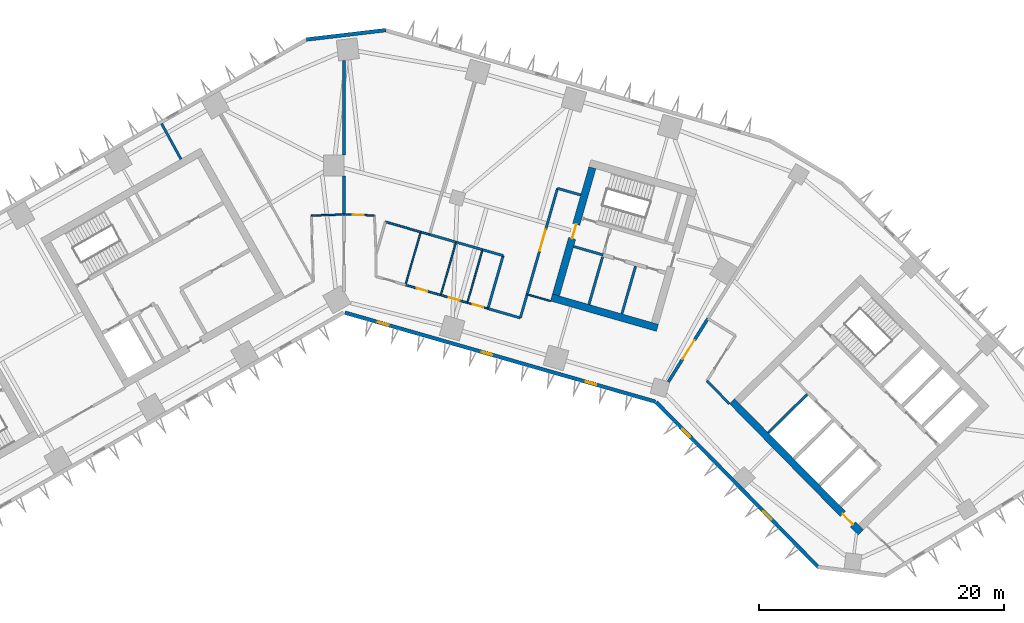
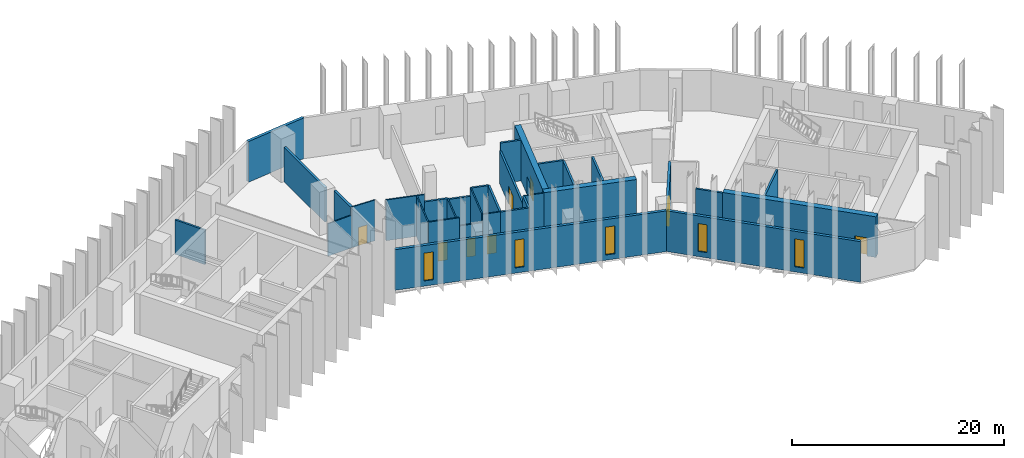
# One storey, part 5 of 11: 34 walls, 8 doors, 5 windows, 13 openings.
"""IFC4 building model written with IfcOpenShell, lengths in metres."""

import ifcopenshell
import ifcopenshell.guid

model = None  # the IFC model being written
_history = None  # IfcOwnerHistory: only IFC2X3 demands one
_inside = {}  # id of a spatial element -> (the spatial element, [elements in it])
_under = {}  # id of a project, library or spatial element -> (it, [spatial elements below it])
_declared = {}  # id of a project -> (the project, [libraries it declares])
_typed = {}  # id of a type object -> (the type object, [elements of that type])
_made_of = {}  # id of a material, layer set ... -> (it, [elements and type objects made of it])


def new_model(schema):
    """Start an empty IFC model of exactly this schema.

    Asked for "IFC4X3", IfcOpenShell would pick the latest addendum, in which some entities
    have other attributes; the version numbers below select the first issue.
    IFC2X3 requires an IfcOwnerHistory on every rooted entity: one is made here for all.
    """
    global model, _history
    if schema == "IFC4X3":
        model = ifcopenshell.file(schema_version=(4, 3, 0, 0))
    else:
        model = ifcopenshell.file(schema=schema)
    _inside.clear()
    _under.clear()
    _declared.clear()
    _typed.clear()
    _made_of.clear()
    _history = None
    if model.schema == "IFC2X3":
        org = make("IfcOrganization", Name="unknown")
        user = make(
            "IfcPersonAndOrganization",
            ThePerson=make("IfcPerson", FamilyName="unknown"),
            TheOrganization=org,
        )
        app = make(
            "IfcApplication",
            ApplicationDeveloper=org,
            Version="unknown",
            ApplicationFullName="unknown",
            ApplicationIdentifier="unknown",
        )
        _history = make(
            "IfcOwnerHistory",
            OwningUser=user,
            OwningApplication=app,
            ChangeAction="ADDED",
            CreationDate=0,
        )
    return model


def make(cls, **values):
    """One entity of the class cls with the attributes given. An attribute that is None is left unset."""
    return model.create_entity(
        cls, **{name: value for name, value in values.items() if value is not None}
    )


def rooted(cls, **values):
    """An entity with a GlobalId (a new one), such as an element, a storey or a relation."""
    return make(cls, GlobalId=ifcopenshell.guid.new(), OwnerHistory=_history, **values)


def si_unit(unit_type, name, prefix=None):
    """IfcSIUnit, for example si_unit("LENGTHUNIT", "METRE", prefix="MILLI")."""
    return make("IfcSIUnit", UnitType=unit_type, Prefix=prefix, Name=name)


def assignment(units):
    """IfcUnitAssignment: the units of a project."""
    return None if units is None else make("IfcUnitAssignment", Units=units)


def point(xyz):
    """IfcCartesianPoint."""
    return None if xyz is None else make("IfcCartesianPoint", Coordinates=xyz)


def direction(xyz):
    """IfcDirection."""
    return None if xyz is None else make("IfcDirection", DirectionRatios=xyz)


def frame(location, z_axis=None, x_axis=None):
    """IfcAxis2Placement3D, a coordinate frame: its origin and axes. An axis left out is left unset."""
    return make(
        "IfcAxis2Placement3D",
        Location=point(location),
        Axis=direction(z_axis),
        RefDirection=direction(x_axis),
    )


def frame_2d(location, x_axis=None):
    """IfcAxis2Placement2D, a coordinate frame in the plane: its origin and x axis."""
    return make(
        "IfcAxis2Placement2D", Location=point(location), RefDirection=direction(x_axis)
    )


def origin():
    """The frame at (0, 0, 0) with its axes left unset."""
    return frame((0.0, 0.0, 0.0))


def place(relative_to, where):
    """IfcLocalPlacement: puts the frame where relative to a parent placement (None: the world)."""
    return make(
        "IfcLocalPlacement", PlacementRelTo=relative_to, RelativePlacement=where
    )


def context(
    kind, dimensions, precision=None, world=None, true_north=None, identifier=None
):
    """IfcGeometricRepresentationContext, for example the 3D "Model" context."""
    return make(
        "IfcGeometricRepresentationContext",
        ContextIdentifier=identifier,
        ContextType=kind,
        CoordinateSpaceDimension=dimensions,
        Precision=precision,
        WorldCoordinateSystem=world,
        TrueNorth=true_north,
    )


def subcontext(parent, identifier, kind, view, scale=None):
    """IfcGeometricRepresentationSubContext, for example "Body" below "Model"."""
    return make(
        "IfcGeometricRepresentationSubContext",
        ContextIdentifier=identifier,
        ContextType=kind,
        ParentContext=parent,
        TargetScale=scale,
        TargetView=view,
    )


def project(units=None, contexts=None):
    """IfcProject with its units and contexts."""
    return rooted(
        "IfcProject",
        Name="project",
        RepresentationContexts=contexts,
        UnitsInContext=assignment(units),
    )


def spatial(cls, under=None, at=None, **own):
    """A site, building, storey or space (cls), placed at a placement, below another one or the project."""
    s = rooted(cls, ObjectPlacement=at, **own)
    if under is not None:
        _under.setdefault(under.id(), (under, []))[1].append(s)
    return s


def profile(cls, at=None, kind="AREA", **sizes):
    """A parametric profile (cls). Its sizes go by their IFC names, for example OverallWidth=200.0."""
    return make(cls, ProfileType=kind, Position=at, **sizes)


def rectangle(**sizes):
    """IfcRectangleProfileDef."""
    return profile("IfcRectangleProfileDef", **sizes)


def extrude(swept, where, along, depth):
    """IfcExtrudedAreaSolid: the profile swept, set in the frame where, extruded along a direction by depth."""
    return make(
        "IfcExtrudedAreaSolid",
        SweptArea=swept,
        Position=where,
        ExtrudedDirection=direction(along),
        Depth=depth,
    )


def shape(context_of_items, identifier, shape_type, items):
    """IfcShapeRepresentation: the items that make up one representation, for example the "Body"."""
    return make(
        "IfcShapeRepresentation",
        ContextOfItems=context_of_items,
        RepresentationIdentifier=identifier,
        RepresentationType=shape_type,
        Items=items,
    )


def material(Name=None, Category=None):
    """IfcMaterial."""
    return make("IfcMaterial", Name=Name, Category=Category)


def layer(
    of_material, thickness, ventilated=None, Name=None, Category=None, Priority=None
):
    """IfcMaterialLayer: one layer of a wall or slab, of a material (None: an air gap)."""
    return make(
        "IfcMaterialLayer",
        Material=of_material,
        LayerThickness=thickness,
        IsVentilated=ventilated,
        Name=Name,
        Category=Category,
        Priority=Priority,
    )


def layer_set(layers, Name=None):
    """IfcMaterialLayerSet."""
    return make("IfcMaterialLayerSet", MaterialLayers=layers, LayerSetName=Name)


def made_of(thing, what):
    """Note that an element or type object is made of a material, layer set ...; save() writes the relation."""
    if what is not None:
        _made_of.setdefault(what.id(), (what, []))[1].append(thing)
    return thing


def type_object(cls, material=None, **own):
    """A type object (cls), such as IfcWallType, which elements share."""
    return made_of(rooted(cls, **own), material)


def element(
    cls,
    number,
    at=None,
    inside=None,
    cuts=None,
    type_object=None,
    material=None,
    context=None,
    identifier="Body",
    shape_type=None,
    held_by="IfcProductDefinitionShape",
    body=None,
    shapes=None,
    **own,
):
    """One element of the class cls, such as IfcWall. Its Tag is "e" and its number.

    at: its placement. inside: the storey or other place that contains it. cuts: it is an
    opening in that element (IfcRelVoidsElement). A single representation is given by context,
    identifier, shape_type and body (its items); several are given by shapes. held_by: the class
    of the entity that holds the representations. save() writes the other relations.
    """
    e = rooted(cls, Tag="e%d" % number, ObjectPlacement=at, **own)
    if body is not None:
        shapes = [shape(context, identifier, shape_type, body)]
    if shapes is not None:
        e.Representation = make(held_by, Representations=shapes)
    if inside is not None:
        _inside.setdefault(inside.id(), (inside, []))[1].append(e)
    if cuts is not None:
        rooted(
            "IfcRelVoidsElement", RelatingBuildingElement=cuts, RelatedOpeningElement=e
        )
    if type_object is not None:
        _typed.setdefault(type_object.id(), (type_object, []))[1].append(e)
    return made_of(e, material)


def fill(opening, filler):
    """IfcRelFillsElement: the door or window that sits in an opening."""
    return rooted(
        "IfcRelFillsElement",
        RelatingOpeningElement=opening,
        RelatedBuildingElement=filler,
    )


def aggregate(whole, parts):
    """IfcRelAggregates: a whole, such as a stair, and the parts it consists of."""
    return rooted("IfcRelAggregates", RelatingObject=whole, RelatedObjects=parts)


def save(model, path):
    """Write the relations noted so far, then the file.

    IfcRelAggregates (storeys below a building ...), IfcRelContainedInSpatialStructure (elements
    in a storey), IfcRelDefinesByType, IfcRelAssociatesMaterial and IfcRelDeclares: one each for
    every whole, place, type object, material and project.
    """
    for whole, parts in _under.values():
        aggregate(whole, parts)
    for where, things in _inside.values():
        rooted(
            "IfcRelContainedInSpatialStructure",
            RelatedElements=things,
            RelatingStructure=where,
        )
    for kind, things in _typed.values():
        rooted("IfcRelDefinesByType", RelatedObjects=things, RelatingType=kind)
    for what, things in _made_of.values():
        rooted("IfcRelAssociatesMaterial", RelatedObjects=things, RelatingMaterial=what)
    for by, libraries in _declared.values():
        rooted("IfcRelDeclares", RelatingContext=by, RelatedDefinitions=libraries)
    model.write(path)


model = new_model("IFC4")

# Units and contexts
model_context = context("Model", 3, precision=1e-05, world=origin(), true_north=direction((0.0, 1.0)))
body_context = subcontext(model_context, "Body", "Model", "MODEL_VIEW")
ifc_project = project(units=[si_unit("LENGTHUNIT", "METRE"), si_unit("AREAUNIT", "SQUARE_METRE"), si_unit("VOLUMEUNIT", "CUBIC_METRE"), si_unit("PLANEANGLEUNIT", "RADIAN"), si_unit("MASSUNIT", "GRAM", prefix="KILO")], contexts=[model_context])

# Site, building, storey
site_placement = place(None, origin())
site = spatial("IfcSite", under=ifc_project, at=site_placement, CompositionType="ELEMENT")
building_placement = place(site_placement, origin())
building = spatial("IfcBuilding", under=site, at=building_placement, Name="Binnacle Exchange Tower", CompositionType="ELEMENT")
storey_placement = place(building_placement, frame((0.0, 0.0, 46.5)))
storey = spatial("IfcBuildingStorey", under=building, at=storey_placement, Name="L09", CompositionType="ELEMENT", Elevation=46.5)

# Wall
ifc_material_1 = material(Name="Gypsum partition fire rated")
ifc_layer_1 = layer(ifc_material_1, 0.199951171875)
ifc_layer_set_1 = layer_set([ifc_layer_1], Name="Core partition 200")
wall_type_1 = type_object("IfcWallType", Name="Core partition 200", PredefinedType="PARTITIONING", material=ifc_layer_set_1)
wall_1_placement = place(storey_placement, frame((22.664794921875, 47.88330078125, 0.0), z_axis=(0.0, 0.0, 1.0), x_axis=(0.275596769212, 0.961273333033, 0.0)))
element("IfcWall", 1, at=wall_1_placement, inside=storey, type_object=wall_type_1, Name="Core wall CRWD10", PredefinedType="PARTITIONING", context=body_context, shape_type="SweptSolid", body=[
    extrude(rectangle(XDim=4.050048828125, YDim=0.199951171875, at=frame_2d((2.02490234375, 0.0))), origin(), (0.0, 0.0, 1.0), 4.679931640625),
])

# Wall, opening, door
ifc_material_2 = material(Name="Concrete C70/85", Category="concrete")
ifc_layer_2 = layer(ifc_material_2, 0.60009765625)
ifc_layer_set_2 = layer_set([ifc_layer_2], Name="Core wall - outer 600")
wall_type_2 = type_object("IfcWallType", Name="Core wall - outer 600", PredefinedType="SOLIDWALL", material=ifc_layer_set_2)
wall_2_placement = place(storey_placement, frame((31.6455078125, 40.7626953125, 0.0), z_axis=(0.0, 0.0, 1.0), x_axis=(0.700911255944, -0.713248491965, 0.0)))
wall_2 = element("IfcWall", 2, at=wall_2_placement, inside=storey, type_object=wall_type_2, Name="Core wall CRWB1", PredefinedType="SOLIDWALL", context=body_context, shape_type="SweptSolid", body=[
    extrude(rectangle(XDim=15.0, YDim=0.60009765625, at=frame_2d((7.5, 0.0))), origin(), (0.0, 0.0, 1.0), 4.679931640625),
])
opening_1_placement = place(wall_2_placement, frame((12.89990234375, 0.0, 0.0)))
opening_1 = element("IfcOpeningElement", 3, at=opening_1_placement, cuts=wall_2, Name="Opening DB7", PredefinedType="OPENING", context=body_context, shape_type="SweptSolid", body=[
    extrude(rectangle(XDim=1.199951171875, YDim=2.10009765625, at=frame_2d((0.60009765625, 1.050048828125))), frame((0.0, 0.31005859375, 0.0), z_axis=(0.0, -1.0, 0.0), x_axis=(1.0, 0.0, 0.0)), (0.0, 0.0, 1.0), 0.6201171875),
])
ifc_material_3 = material(Name="Steel door leaf", Category="steel")
door_type_1 = type_object("IfcDoorType", Name="Fire door 1200", OperationType="NOTDEFINED", PredefinedType="DOOR", material=ifc_material_3)
door_1_placement = place(opening_1_placement, frame((1.199951171875, 0.0, 0.0), z_axis=(0.0, 0.0, 1.0), x_axis=(-1.0, 0.0, 0.0)))
door_1 = element("IfcDoor", 4, at=door_1_placement, inside=storey, type_object=door_type_1, Name="Lift lobby entrance door core B", OperationType="SINGLE_SWING_LEFT", OverallHeight=2.10009765625, OverallWidth=1.199951171875, PredefinedType="DOOR", context=body_context, shape_type="SweptSolid", body=[
    extrude(rectangle(XDim=1.199951171875, YDim=2.10009765625, at=frame_2d((0.60009765625, 1.050048828125))), frame((0.0, 0.02490234375, 0.0), z_axis=(0.0, -1.0, 0.0), x_axis=(1.0, 0.0, 0.0)), (0.0, 0.0, 1.0), 0.050048828125),
])
fill(opening_1, door_1)

# Wall
wall_3_placement = place(storey_placement, frame((16.91064453125, 49.22119140625, 0.0), z_axis=(0.0, 0.0, 1.0), x_axis=(0.96126248289, -0.275634611374, 0.0)))
element("IfcWall", 5, at=wall_3_placement, inside=storey, type_object=wall_type_2, Name="Core wall CRWD1", PredefinedType="SOLIDWALL", context=body_context, shape_type="SweptSolid", body=[
    extrude(rectangle(XDim=9.0, YDim=0.60009765625, at=frame_2d((4.5, 0.0))), origin(), (0.0, 0.0, 1.0), 4.679931640625),
])

# Wall, opening, door
wall_4_placement = place(storey_placement, frame((17.28173828125, 49.427001953125, 0.0), z_axis=(0.0, 0.0, 1.0), x_axis=(0.275631631629, 0.961263337304, 0.0)))
wall_4 = element("IfcWall", 6, at=wall_4_placement, inside=storey, type_object=wall_type_2, Name="Core wall CRWD7", PredefinedType="SOLIDWALL", context=body_context, shape_type="SweptSolid", body=[
    extrude(rectangle(XDim=10.800048828125, YDim=0.60009765625, at=frame_2d((5.39990234375, 0.0))), origin(), (0.0, 0.0, 1.0), 4.679931640625),
])
opening_2_placement = place(wall_4_placement, frame((4.800048828125, 0.0, 0.0)))
opening_2 = element("IfcOpeningElement", 7, at=opening_2_placement, cuts=wall_4, Name="Opening DD5", PredefinedType="OPENING", context=body_context, shape_type="SweptSolid", body=[
    extrude(rectangle(XDim=1.199951171875, YDim=2.10009765625, at=frame_2d((0.60009765625, 1.050048828125))), frame((0.0, 0.31005859375, 0.0), z_axis=(0.0, -1.0, 0.0), x_axis=(1.0, 0.0, 0.0)), (0.0, 0.0, 1.0), 0.6201171875),
])
door_2_placement = place(opening_2_placement, origin())
door_2 = element("IfcDoor", 8, at=door_2_placement, inside=storey, type_object=door_type_1, Name="Vestibule exit door VEST-W", OperationType="SINGLE_SWING_RIGHT", OverallHeight=2.10009765625, OverallWidth=1.199951171875, PredefinedType="DOOR", context=body_context, shape_type="SweptSolid", body=[
    extrude(rectangle(XDim=1.199951171875, YDim=2.10009765625, at=frame_2d((0.60009765625, 1.050048828125))), frame((0.0, 0.02490234375, 0.0), z_axis=(0.0, -1.0, 0.0), x_axis=(1.0, 0.0, 0.0)), (0.0, 0.0, 1.0), 0.050048828125),
])
fill(opening_2, door_2)

# Wall
ifc_material_4 = material(Name="Bronze aluminium cladding", Category="aluminium")
ifc_layer_3 = layer(ifc_material_4, 0.300048828125)
ifc_layer_set_3 = layer_set([ifc_layer_3], Name="External wall - spandrel 300")
wall_type_3 = type_object("IfcWallType", Name="External wall - spandrel 300", PredefinedType="STANDARD", material=ifc_layer_set_3)
wall_5_placement = place(storey_placement, frame((-3.076171875, 70.27294921875, 0.0), z_axis=(0.0, 0.0, 1.0), x_axis=(0.993067743007, 0.117543429416, 0.0)))
element("IfcWall", 9, at=wall_5_placement, inside=storey, type_object=wall_type_3, Name="External wall EW-F02 L09", PredefinedType="STANDARD", context=body_context, shape_type="SweptSolid", body=[
    extrude(rectangle(XDim=6.515625, YDim=0.300048828125, at=frame_2d((3.2578125, 0.0))), origin(), (0.0, 0.0, 1.0), 4.679931640625),
])

# Wall, openings, windows
wall_6_placement = place(storey_placement, frame((25.398193359375, 40.71728515625, 0.0), z_axis=(0.0, 0.0, 1.0), x_axis=(-0.961262423262, 0.275634819324, 0.0)))
wall_6 = element("IfcWall", 10, at=wall_6_placement, inside=storey, type_object=wall_type_3, Name="External wall EW-F08 L09", PredefinedType="STANDARD", context=body_context, shape_type="SweptSolid", body=[
    extrude(rectangle(XDim=26.358642578125, YDim=0.300048828125, at=frame_2d((13.17919921875, 0.0))), origin(), (0.0, 0.0, 1.0), 4.679931640625),
])
opening_3_placement = place(wall_6_placement, frame((22.6640625, 0.0, 0.60009765625)))
opening_3 = element("IfcOpeningElement", 11, at=opening_3_placement, cuts=wall_6, Name="Opening WS1", PredefinedType="OPENING", context=body_context, shape_type="SweptSolid", body=[
    extrude(rectangle(XDim=0.89990234375, YDim=3.199951171875, at=frame_2d((0.449951171875, 1.60009765625))), frame((0.0, 0.159912109375, 0.0), z_axis=(0.0, -1.0, 0.0), x_axis=(1.0, 0.0, 0.0)), (0.0, 0.0, 1.0), 0.320068359375),
])
opening_4_placement = place(wall_6_placement, frame((13.843505859375, 0.0, 0.60009765625)))
opening_4 = element("IfcOpeningElement", 12, at=opening_4_placement, cuts=wall_6, Name="Opening WS1", PredefinedType="OPENING", context=body_context, shape_type="SweptSolid", body=[
    extrude(rectangle(XDim=0.89990234375, YDim=3.199951171875, at=frame_2d((0.449951171875, 1.60009765625))), frame((0.0, 0.159912109375, 0.0), z_axis=(0.0, -1.0, 0.0), x_axis=(1.0, 0.0, 0.0)), (0.0, 0.0, 1.0), 0.320068359375),
])
opening_5_placement = place(wall_6_placement, frame((5.023193359375, 0.0, 0.60009765625)))
opening_5 = element("IfcOpeningElement", 13, at=opening_5_placement, cuts=wall_6, Name="Opening WS1", PredefinedType="OPENING", context=body_context, shape_type="SweptSolid", body=[
    extrude(rectangle(XDim=0.89990234375, YDim=3.199951171875, at=frame_2d((0.449951171875, 1.60009765625))), frame((0.0, 0.159912109375, 0.0), z_axis=(0.0, -1.0, 0.0), x_axis=(1.0, 0.0, 0.0)), (0.0, 0.0, 1.0), 0.320068359375),
])
ifc_material_5 = material(Name="Bronze anodised aluminium frame", Category="aluminium")
window_type = type_object("IfcWindowType", Name="WS1 WINDOW 900x3200", PartitioningType="SINGLE_PANEL", PredefinedType="WINDOW", material=ifc_material_5)
window_1_placement = place(opening_3_placement, origin())
window_1 = element("IfcWindow", 14, at=window_1_placement, inside=storey, type_object=window_type, Name="Window WS1 L09", OverallHeight=3.199951171875, OverallWidth=0.89990234375, PartitioningType="SINGLE_PANEL", PredefinedType="WINDOW", context=body_context, shape_type="SweptSolid", body=[
    extrude(rectangle(XDim=0.89990234375, YDim=3.199951171875, at=frame_2d((0.449951171875, 1.60009765625))), frame((0.0, 0.030029296875, 0.0), z_axis=(0.0, -1.0, 0.0), x_axis=(1.0, 0.0, 0.0)), (0.0, 0.0, 1.0), 0.06005859375),
])
fill(opening_3, window_1)
window_2_placement = place(opening_4_placement, origin())
window_2 = element("IfcWindow", 15, at=window_2_placement, inside=storey, type_object=window_type, Name="Window WS1 L09", OverallHeight=3.199951171875, OverallWidth=0.89990234375, PartitioningType="SINGLE_PANEL", PredefinedType="WINDOW", context=body_context, shape_type="SweptSolid", body=[
    extrude(rectangle(XDim=0.89990234375, YDim=3.199951171875, at=frame_2d((0.449951171875, 1.60009765625))), frame((0.0, 0.030029296875, 0.0), z_axis=(0.0, -1.0, 0.0), x_axis=(1.0, 0.0, 0.0)), (0.0, 0.0, 1.0), 0.06005859375),
])
fill(opening_4, window_2)
window_3_placement = place(opening_5_placement, origin())
window_3 = element("IfcWindow", 16, at=window_3_placement, inside=storey, type_object=window_type, Name="Window WS1 L09", OverallHeight=3.199951171875, OverallWidth=0.89990234375, PartitioningType="SINGLE_PANEL", PredefinedType="WINDOW", context=body_context, shape_type="SweptSolid", body=[
    extrude(rectangle(XDim=0.89990234375, YDim=3.199951171875, at=frame_2d((0.449951171875, 1.60009765625))), frame((0.0, 0.030029296875, 0.0), z_axis=(0.0, -1.0, 0.0), x_axis=(1.0, 0.0, 0.0)), (0.0, 0.0, 1.0), 0.06005859375),
])
fill(opening_5, window_3)

wall_7_placement = place(storey_placement, frame((38.727294921875, 27.18115234375, 0.0), z_axis=(0.0, 0.0, 1.0), x_axis=(-0.700906405975, 0.713253258011, 0.0)))
wall_7 = element("IfcWall", 17, at=wall_7_placement, inside=storey, type_object=wall_type_3, Name="External wall EW-F09 L09", PredefinedType="STANDARD", context=body_context, shape_type="SweptSolid", body=[
    extrude(rectangle(XDim=18.92333984375, YDim=0.300048828125, at=frame_2d((9.461669921875, 0.0))), origin(), (0.0, 0.0, 1.0), 4.679931640625),
])
opening_6_placement = place(wall_7_placement, frame((14.967041015625, 0.0, 0.60009765625)))
opening_6 = element("IfcOpeningElement", 18, at=opening_6_placement, cuts=wall_7, Name="Opening WS1", PredefinedType="OPENING", context=body_context, shape_type="SweptSolid", body=[
    extrude(rectangle(XDim=0.89990234375, YDim=3.199951171875, at=frame_2d((0.449951171875, 1.60009765625))), frame((0.0, 0.159912109375, 0.0), z_axis=(0.0, -1.0, 0.0), x_axis=(1.0, 0.0, 0.0)), (0.0, 0.0, 1.0), 0.320068359375),
])
opening_7_placement = place(wall_7_placement, frame((5.51171875, 0.0, 0.60009765625)))
opening_7 = element("IfcOpeningElement", 19, at=opening_7_placement, cuts=wall_7, Name="Opening WS1", PredefinedType="OPENING", context=body_context, shape_type="SweptSolid", body=[
    extrude(rectangle(XDim=0.89990234375, YDim=3.199951171875, at=frame_2d((0.449951171875, 1.60009765625))), frame((0.0, 0.159912109375, 0.0), z_axis=(0.0, -1.0, 0.0), x_axis=(1.0, 0.0, 0.0)), (0.0, 0.0, 1.0), 0.320068359375),
])
window_4_placement = place(opening_6_placement, origin())
window_4 = element("IfcWindow", 20, at=window_4_placement, inside=storey, type_object=window_type, Name="Window WS1 L09", OverallHeight=3.199951171875, OverallWidth=0.89990234375, PartitioningType="SINGLE_PANEL", PredefinedType="WINDOW", context=body_context, shape_type="SweptSolid", body=[
    extrude(rectangle(XDim=0.89990234375, YDim=3.199951171875, at=frame_2d((0.449951171875, 1.60009765625))), frame((0.0, 0.030029296875, 0.0), z_axis=(0.0, -1.0, 0.0), x_axis=(1.0, 0.0, 0.0)), (0.0, 0.0, 1.0), 0.06005859375),
])
fill(opening_6, window_4)
window_5_placement = place(opening_7_placement, origin())
window_5 = element("IfcWindow", 21, at=window_5_placement, inside=storey, type_object=window_type, Name="Window WS1 L09", OverallHeight=3.199951171875, OverallWidth=0.89990234375, PartitioningType="SINGLE_PANEL", PredefinedType="WINDOW", context=body_context, shape_type="SweptSolid", body=[
    extrude(rectangle(XDim=0.89990234375, YDim=3.199951171875, at=frame_2d((0.449951171875, 1.60009765625))), frame((0.0, 0.030029296875, 0.0), z_axis=(0.0, -1.0, 0.0), x_axis=(1.0, 0.0, 0.0)), (0.0, 0.0, 1.0), 0.06005859375),
])
fill(opening_7, window_5)

# Walls
ifc_material_6 = material(Name="Masonry block wall", Category="masonry")
ifc_layer_4 = layer(ifc_material_6, 0.199951171875)
ifc_layer_set_4 = layer_set([ifc_layer_4], Name="Fire wall - block 200")
wall_type_4 = type_object("IfcWallType", Name="Fire wall - block 200", PredefinedType="PARTITIONING", material=ifc_layer_set_4)
wall_8_placement = place(storey_placement, frame((-14.89404296875, 63.40087890625, 0.0), z_axis=(0.0, 0.0, 1.0), x_axis=(0.478389929376, -0.878147524891, 0.0)))
element("IfcWall", 22, at=wall_8_placement, inside=storey, type_object=wall_type_4, Name="Partition W05", PredefinedType="PARTITIONING", context=body_context, shape_type="SweptSolid", body=[
    extrude(rectangle(XDim=3.294189453125, YDim=0.199951171875, at=frame_2d((1.64697265625, 0.0))), origin(), (0.0, 0.0, 1.0), 3.9599609375),
])
wall_9_placement = place(storey_placement, frame((6.966064453125, 54.362060546875, 0.0), z_axis=(0.0, 0.0, 1.0), x_axis=(0.961154610169, -0.276010534854, 0.0)))
element("IfcWall", 23, at=wall_9_placement, inside=storey, type_object=wall_type_4, Name="Partition W22", PredefinedType="PARTITIONING", context=body_context, shape_type="SweptSolid", body=[
    extrude(rectangle(XDim=2.250244140625, YDim=0.199951171875, at=frame_2d((1.125, 0.0))), origin(), (0.0, 0.0, 1.0), 3.85205078125),
])
wall_10_placement = place(storey_placement, frame((9.12890625, 53.740966796875, 0.0), z_axis=(0.0, 0.0, 1.0), x_axis=(0.961273691875, -0.275595517578, 0.0)))
element("IfcWall", 24, at=wall_10_placement, inside=storey, type_object=wall_type_4, Name="Partition W26", PredefinedType="PARTITIONING", context=body_context, shape_type="SweptSolid", body=[
    extrude(rectangle(XDim=2.249267578125, YDim=0.199951171875, at=frame_2d((1.12451171875, 0.0))), origin(), (0.0, 0.0, 1.0), 3.741943359375),
])
wall_11_placement = place(storey_placement, frame((11.291015625, 53.12109375, 0.0), z_axis=(0.0, 0.0, 1.0), x_axis=(0.961329010357, -0.275402494264, 0.0)))
element("IfcWall", 25, at=wall_11_placement, inside=storey, type_object=wall_type_4, Name="Partition W29", PredefinedType="PARTITIONING", context=body_context, shape_type="SweptSolid", body=[
    extrude(rectangle(XDim=1.750732421875, YDim=0.199951171875, at=frame_2d((0.87548828125, 0.0))), origin(), (0.0, 0.0, 1.0), 4.679931640625),
])
wall_12_placement = place(storey_placement, frame((11.73291015625, 48.31298828125, 0.0), z_axis=(0.0, 0.0, 1.0), x_axis=(0.275795676316, 0.961216284155, 0.0)))
element("IfcWall", 26, at=wall_12_placement, inside=storey, type_object=wall_type_4, Name="Partition W30", PredefinedType="PARTITIONING", context=body_context, shape_type="SweptSolid", body=[
    extrude(rectangle(XDim=4.50048828125, YDim=0.199951171875, at=frame_2d((2.250244140625, 0.0))), origin(), (0.0, 0.0, 1.0), 4.679931640625),
])
wall_13_placement = place(storey_placement, frame((11.73291015625, 48.31298828125, 0.0), z_axis=(0.0, 0.0, 1.0), x_axis=(0.961272337704, -0.275600240865, 0.0)))
element("IfcWall", 27, at=wall_13_placement, inside=storey, type_object=wall_type_4, Name="Partition W31", PredefinedType="PARTITIONING", context=body_context, shape_type="SweptSolid", body=[
    extrude(rectangle(XDim=2.75048828125, YDim=0.199951171875, at=frame_2d((1.375244140625, 0.0))), origin(), (0.0, 0.0, 1.0), 4.679931640625),
])
wall_14_placement = place(storey_placement, frame((14.376953125, 47.554931640625, 0.0), z_axis=(0.0, 0.0, 1.0), x_axis=(0.275446387355, 0.961316434736, 0.0)))
element("IfcWall", 28, at=wall_14_placement, inside=storey, type_object=wall_type_4, Name="Partition W32", PredefinedType="PARTITIONING", context=body_context, shape_type="SweptSolid", body=[
    extrude(rectangle(XDim=2.00048828125, YDim=0.199951171875, at=frame_2d((1.000244140625, 0.0))), origin(), (0.0, 0.0, 1.0), 4.679931640625),
])

# Wall, opening, door
wall_15_placement = place(storey_placement, frame((14.927978515625, 49.47802734375, 0.0), z_axis=(0.0, 0.0, 1.0), x_axis=(0.275674053528, 0.961251172281, 0.0)))
wall_15 = element("IfcWall", 29, at=wall_15_placement, inside=storey, type_object=wall_type_4, Name="Partition W34", PredefinedType="PARTITIONING", context=body_context, shape_type="SweptSolid", body=[
    extrude(rectangle(XDim=8.99951171875, YDim=0.199951171875, at=frame_2d((4.499755859375, 0.0))), origin(), (0.0, 0.0, 1.0), 3.741943359375),
])
opening_8_placement = place(wall_15_placement, frame((3.699951171875, 0.0, 0.0)))
opening_8 = element("IfcOpeningElement", 30, at=opening_8_placement, cuts=wall_15, Name="Opening DL08-10", PredefinedType="OPENING", context=body_context, shape_type="SweptSolid", body=[
    extrude(rectangle(XDim=1.800048828125, YDim=2.10009765625, at=frame_2d((0.89990234375, 1.050048828125))), frame((0.0, 0.10986328125, 0.0), z_axis=(0.0, -1.0, 0.0), x_axis=(1.0, 0.0, 0.0)), (0.0, 0.0, 1.0), 0.219970703125),
])
door_type_2 = type_object("IfcDoorType", Name="Fire door 1800", OperationType="NOTDEFINED", PredefinedType="DOOR", material=ifc_material_3)
door_3_placement = place(opening_8_placement, origin())
door_3 = element("IfcDoor", 31, at=door_3_placement, inside=storey, type_object=door_type_2, Name="Door DL08-10", OperationType="DOUBLE_DOOR_SINGLE_SWING", OverallHeight=2.10009765625, OverallWidth=1.800048828125, PredefinedType="DOOR", context=body_context, shape_type="SweptSolid", body=[
    extrude(rectangle(XDim=1.800048828125, YDim=2.10009765625, at=frame_2d((0.89990234375, 1.050048828125))), frame((0.0, 0.02490234375, 0.0), z_axis=(0.0, -1.0, 0.0), x_axis=(1.0, 0.0, 0.0)), (0.0, 0.0, 1.0), 0.050048828125),
])
fill(opening_8, door_3)

# Walls
wall_16_placement = place(storey_placement, frame((17.408935546875, 58.12890625, 0.0), z_axis=(0.0, 0.0, 1.0), x_axis=(0.961253165474, -0.275667103345, 0.0)))
element("IfcWall", 32, at=wall_16_placement, inside=storey, type_object=wall_type_4, Name="Partition W35", PredefinedType="PARTITIONING", context=body_context, shape_type="SweptSolid", body=[
    extrude(rectangle(XDim=1.976806640625, YDim=0.199951171875, at=frame_2d((0.98828125, 0.0))), origin(), (0.0, 0.0, 1.0), 4.679931640625),
])
wall_17_placement = place(storey_placement, frame((29.60009765625, 42.416015625, 0.0), z_axis=(0.0, 0.0, 1.0), x_axis=(0.700914320664, -0.713245480244, 0.0)))
element("IfcWall", 33, at=wall_17_placement, inside=storey, type_object=wall_type_4, Name="Partition W38", PredefinedType="PARTITIONING", context=body_context, shape_type="SweptSolid", body=[
    extrude(rectangle(XDim=2.613525390625, YDim=0.199951171875, at=frame_2d((1.306640625, 0.0))), origin(), (0.0, 0.0, 1.0), 4.679931640625),
])
ifc_material_7 = material(Name="Concrete fire wall C30/37", Category="concrete")
ifc_layer_5 = layer(ifc_material_7, 0.25)
ifc_layer_set_5 = layer_set([ifc_layer_5], Name="Fire wall - compartment 250")
wall_type_5 = type_object("IfcWallType", Name="Fire wall - compartment 250", PredefinedType="PARTITIONING", material=ifc_layer_set_5)
wall_18_placement = place(storey_placement, frame((0.0, 56.0, 0.0), z_axis=(0.0, 0.0, 1.0), x_axis=(0.0, 1.0, 0.0)))
element("IfcWall", 34, at=wall_18_placement, inside=storey, type_object=wall_type_5, Name="Fire Wall W11", PredefinedType="PARTITIONING", context=body_context, shape_type="SweptSolid", body=[
    extrude(rectangle(XDim=3.14990234375, YDim=0.25, at=frame_2d((1.574951171875, 0.0))), origin(), (0.0, 0.0, 1.0), 4.679931640625),
])
wall_19_placement = place(storey_placement, frame((0.0, 60.85009765625, 0.0), z_axis=(0.0, 0.0, 1.0), x_axis=(0.0, 1.0, 0.0)))
element("IfcWall", 35, at=wall_19_placement, inside=storey, type_object=wall_type_5, Name="Fire Wall W13", PredefinedType="PARTITIONING", context=body_context, shape_type="SweptSolid", body=[
    extrude(rectangle(XDim=7.722900390625, YDim=0.25, at=frame_2d((3.861328125, 0.0))), origin(), (0.0, 0.0, 1.0), 3.951904296875),
])

# Wall, opening, door
wall_20_placement = place(storey_placement, frame((26.4560546875, 42.337890625, 0.0), z_axis=(0.0, 0.0, 1.0), x_axis=(0.52980027265, 0.848122438743, 0.0)))
wall_20 = element("IfcWall", 36, at=wall_20_placement, inside=storey, type_object=wall_type_5, Name="Fire Wall W36", PredefinedType="PARTITIONING", context=body_context, shape_type="SweptSolid", body=[
    extrude(rectangle(XDim=6.075927734375, YDim=0.25, at=frame_2d((3.0380859375, 0.0))), origin(), (0.0, 0.0, 1.0), 4.679931640625),
])
opening_9_placement = place(wall_20_placement, frame((2.199951171875, 0.0, 0.0)))
opening_9 = element("IfcOpeningElement", 37, at=opening_9_placement, cuts=wall_20, Name="Opening DL08-14", PredefinedType="OPENING", context=body_context, shape_type="SweptSolid", body=[
    extrude(rectangle(XDim=1.800048828125, YDim=2.10009765625, at=frame_2d((0.89990234375, 1.050048828125))), frame((0.0, 0.135009765625, 0.0), z_axis=(0.0, -1.0, 0.0), x_axis=(1.0, 0.0, 0.0)), (0.0, 0.0, 1.0), 0.27001953125),
])
door_4_placement = place(opening_9_placement, origin())
door_4 = element("IfcDoor", 38, at=door_4_placement, inside=storey, type_object=door_type_2, Name="Door DL08-14", OperationType="DOUBLE_DOOR_SINGLE_SWING", OverallHeight=2.10009765625, OverallWidth=1.800048828125, PredefinedType="DOOR", context=body_context, shape_type="SweptSolid", body=[
    extrude(rectangle(XDim=1.800048828125, YDim=2.10009765625, at=frame_2d((0.89990234375, 1.050048828125))), frame((0.0, 0.02490234375, 0.0), z_axis=(0.0, -1.0, 0.0), x_axis=(1.0, 0.0, 0.0)), (0.0, 0.0, 1.0), 0.050048828125),
])
fill(opening_9, door_4)

# Wall
ifc_layer_6 = layer(ifc_material_1, 0.14990234375)
ifc_layer_set_6 = layer_set([ifc_layer_6], Name="Fire-rated partition 150")
wall_type_6 = type_object("IfcWallType", Name="Fire-rated partition 150", PredefinedType="PARTITIONING", material=ifc_layer_set_6)
wall_21_placement = place(storey_placement, frame((3.361083984375, 55.39501953125, 0.0), z_axis=(0.0, 0.0, 1.0), x_axis=(0.961268664977, -0.27561305073, 0.0)))
element("IfcWall", 39, at=wall_21_placement, inside=storey, type_object=wall_type_6, Name="Partition W18", PredefinedType="PARTITIONING", context=body_context, shape_type="SweptSolid", body=[
    extrude(rectangle(XDim=3.000244140625, YDim=0.14990234375, at=frame_2d((1.5, 0.0))), origin(), (0.0, 0.0, 1.0), 4.679931640625),
])

# Wall, opening, door
wall_22_placement = place(storey_placement, frame((5.00390625, 50.242919921875, 0.0), z_axis=(0.0, 0.0, 1.0), x_axis=(0.961268664977, -0.27561305073, 0.0)))
wall_22 = element("IfcWall", 40, at=wall_22_placement, inside=storey, type_object=wall_type_6, Name="Partition W20", PredefinedType="PARTITIONING", context=body_context, shape_type="SweptSolid", body=[
    extrude(rectangle(XDim=3.000244140625, YDim=0.14990234375, at=frame_2d((1.5, 0.0))), origin(), (0.0, 0.0, 1.0), 4.679931640625),
])
opening_10_placement = place(wall_22_placement, frame((0.949951171875, 0.0, 0.0)))
opening_10 = element("IfcOpeningElement", 41, at=opening_10_placement, cuts=wall_22, Name="Opening DL08-06", PredefinedType="OPENING", context=body_context, shape_type="SweptSolid", body=[
    extrude(rectangle(XDim=0.89990234375, YDim=2.10009765625, at=frame_2d((0.449951171875, 1.050048828125))), frame((0.0, 0.0849609375, 0.0), z_axis=(0.0, -1.0, 0.0), x_axis=(1.0, 0.0, 0.0)), (0.0, 0.0, 1.0), 0.169921875),
])
door_type_3 = type_object("IfcDoorType", Name="Fire door 900", OperationType="NOTDEFINED", PredefinedType="DOOR", material=ifc_material_3)
door_5_placement = place(opening_10_placement, origin())
door_5 = element("IfcDoor", 42, at=door_5_placement, inside=storey, type_object=door_type_3, Name="Door DL08-06", OperationType="SINGLE_SWING_LEFT", OverallHeight=2.10009765625, OverallWidth=0.89990234375, PredefinedType="DOOR", context=body_context, shape_type="SweptSolid", body=[
    extrude(rectangle(XDim=0.89990234375, YDim=2.10009765625, at=frame_2d((0.449951171875, 1.050048828125))), frame((0.0, 0.02490234375, 0.0), z_axis=(0.0, -1.0, 0.0), x_axis=(1.0, 0.0, 0.0)), (0.0, 0.0, 1.0), 0.050048828125),
])
fill(opening_10, door_5)

# Wall
wall_23_placement = place(storey_placement, frame((6.2451171875, 54.568115234375, 0.0), z_axis=(0.0, 0.0, 1.0), x_axis=(0.961499370144, -0.274807134575, 0.0)))
element("IfcWall", 43, at=wall_23_placement, inside=storey, type_object=wall_type_6, Name="Partition W21", PredefinedType="PARTITIONING", context=body_context, shape_type="SweptSolid", body=[
    extrude(rectangle(XDim=0.749755859375, YDim=0.14990234375, at=frame_2d((0.375, 0.0))), origin(), (0.0, 0.0, 1.0), 4.679931640625),
])

# Wall, opening, door
wall_24_placement = place(storey_placement, frame((7.887939453125, 49.416015625, 0.0), z_axis=(0.0, 0.0, 1.0), x_axis=(0.9611628742, -0.275981755301, 0.0)))
wall_24 = element("IfcWall", 44, at=wall_24_placement, inside=storey, type_object=wall_type_6, Name="Partition W25", PredefinedType="PARTITIONING", context=body_context, shape_type="SweptSolid", body=[
    extrude(rectangle(XDim=2.25048828125, YDim=0.14990234375, at=frame_2d((1.125244140625, 0.0))), origin(), (0.0, 0.0, 1.0), 3.741943359375),
])
opening_11_placement = place(wall_24_placement, frame((0.699951171875, 0.0, 0.0)))
opening_11 = element("IfcOpeningElement", 45, at=opening_11_placement, cuts=wall_24, Name="Opening DL08-07", PredefinedType="OPENING", context=body_context, shape_type="SweptSolid", body=[
    extrude(rectangle(XDim=0.89990234375, YDim=2.10009765625, at=frame_2d((0.449951171875, 1.050048828125))), frame((0.0, 0.0849609375, 0.0), z_axis=(0.0, -1.0, 0.0), x_axis=(1.0, 0.0, 0.0)), (0.0, 0.0, 1.0), 0.169921875),
])
door_6_placement = place(opening_11_placement, origin())
door_6 = element("IfcDoor", 46, at=door_6_placement, inside=storey, type_object=door_type_3, Name="Door DL08-07", OperationType="SINGLE_SWING_RIGHT", OverallHeight=2.10009765625, OverallWidth=0.89990234375, PredefinedType="DOOR", context=body_context, shape_type="SweptSolid", body=[
    extrude(rectangle(XDim=0.89990234375, YDim=2.10009765625, at=frame_2d((0.449951171875, 1.050048828125))), frame((0.0, 0.02490234375, 0.0), z_axis=(0.0, -1.0, 0.0), x_axis=(1.0, 0.0, 0.0)), (0.0, 0.0, 1.0), 0.050048828125),
])
fill(opening_11, door_6)

# Wall
ifc_material_8 = material(Name="Gypsum partition")
ifc_layer_7 = layer(ifc_material_8, 0.125)
ifc_layer_set_7 = layer_set([ifc_layer_7], Name="Partition 125")
wall_type_7 = type_object("IfcWallType", Name="Partition 125", PredefinedType="PARTITIONING", material=ifc_layer_set_7)
wall_25_placement = place(storey_placement, frame((-2.669921875, 55.904052734375, 0.0), z_axis=(0.0, 0.0, 1.0), x_axis=(0.999354913865, 0.03591317494, 0.0)))
element("IfcWall", 47, at=wall_25_placement, inside=storey, type_object=wall_type_7, Name="Partition W09", PredefinedType="PARTITIONING", context=body_context, shape_type="SweptSolid", body=[
    extrude(rectangle(XDim=2.671630859375, YDim=0.125, at=frame_2d((1.3359375, 0.0))), origin(), (0.0, 0.0, 1.0), 3.741943359375),
])

# Wall, opening, door
wall_26_placement = place(storey_placement, frame((0.0, 56.0, 0.0), z_axis=(0.0, 0.0, 1.0), x_axis=(0.999349313684, -0.036068673934, 0.0)))
wall_26 = element("IfcWall", 48, at=wall_26_placement, inside=storey, type_object=wall_type_7, Name="Partition W12", PredefinedType="PARTITIONING", context=body_context, shape_type="SweptSolid", body=[
    extrude(rectangle(XDim=2.470703125, YDim=0.125, at=frame_2d((1.2353515625, 0.0))), origin(), (0.0, 0.0, 1.0), 4.679931640625),
])
opening_12_placement = place(wall_26_placement, frame((0.699951171875, 0.0, 0.0)))
opening_12 = element("IfcOpeningElement", 49, at=opening_12_placement, cuts=wall_26, Name="Opening DL08-09", PredefinedType="OPENING", context=body_context, shape_type="SweptSolid", body=[
    extrude(rectangle(XDim=0.89990234375, YDim=2.10009765625, at=frame_2d((0.449951171875, 1.050048828125))), frame((0.0, 0.072509765625, 0.0), z_axis=(0.0, -1.0, 0.0), x_axis=(1.0, 0.0, 0.0)), (0.0, 0.0, 1.0), 0.14501953125),
])
ifc_material_9 = material(Name="Timber door leaf", Category="wood")
door_type_4 = type_object("IfcDoorType", Name="Door 900", OperationType="NOTDEFINED", PredefinedType="DOOR", material=ifc_material_9)
door_7_placement = place(opening_12_placement, origin())
door_7 = element("IfcDoor", 50, at=door_7_placement, inside=storey, type_object=door_type_4, Name="Door DL08-09", OperationType="SINGLE_SWING_LEFT", OverallHeight=2.10009765625, OverallWidth=0.89990234375, PredefinedType="DOOR", context=body_context, shape_type="SweptSolid", body=[
    extrude(rectangle(XDim=0.89990234375, YDim=2.10009765625, at=frame_2d((0.449951171875, 1.050048828125))), frame((0.0, 0.02490234375, 0.0), z_axis=(0.0, -1.0, 0.0), x_axis=(1.0, 0.0, 0.0)), (0.0, 0.0, 1.0), 0.050048828125),
])
fill(opening_12, door_7)

# Walls
wall_27_placement = place(storey_placement, frame((5.00390625, 50.242919921875, 0.0), z_axis=(0.0, 0.0, 1.0), x_axis=(0.275838825927, 0.961203902464, 0.0)))
element("IfcWall", 51, at=wall_27_placement, inside=storey, type_object=wall_type_7, Name="Partition W19", PredefinedType="PARTITIONING", context=body_context, shape_type="SweptSolid", body=[
    extrude(rectangle(XDim=4.499755859375, YDim=0.125, at=frame_2d((2.25, 0.0))), origin(), (0.0, 0.0, 1.0), 4.679931640625),
])
wall_28_placement = place(storey_placement, frame((7.887939453125, 49.416015625, 0.0), z_axis=(0.0, 0.0, 1.0), x_axis=(0.275803080638, 0.96121415965, 0.0)))
element("IfcWall", 52, at=wall_28_placement, inside=storey, type_object=wall_type_7, Name="Partition W24", PredefinedType="PARTITIONING", context=body_context, shape_type="SweptSolid", body=[
    extrude(rectangle(XDim=4.49951171875, YDim=0.125, at=frame_2d((2.249755859375, 0.0))), origin(), (0.0, 0.0, 1.0), 3.85205078125),
])
wall_29_placement = place(storey_placement, frame((10.051025390625, 48.794921875, 0.0), z_axis=(0.0, 0.0, 1.0), x_axis=(0.275530671241, 0.961292280841, 0.0)))
element("IfcWall", 53, at=wall_29_placement, inside=storey, type_object=wall_type_7, Name="Partition W27", PredefinedType="PARTITIONING", context=body_context, shape_type="SweptSolid", body=[
    extrude(rectangle(XDim=4.50048828125, YDim=0.125, at=frame_2d((2.250244140625, 0.0))), origin(), (0.0, 0.0, 1.0), 4.679931640625),
])

# Wall, opening, door
wall_30_placement = place(storey_placement, frame((10.051025390625, 48.794921875, 0.0), z_axis=(0.0, 0.0, 1.0), x_axis=(0.961313033798, -0.275458256455, 0.0)))
wall_30 = element("IfcWall", 54, at=wall_30_placement, inside=storey, type_object=wall_type_7, Name="Partition W28", PredefinedType="PARTITIONING", context=body_context, shape_type="SweptSolid", body=[
    extrude(rectangle(XDim=1.74951171875, YDim=0.125, at=frame_2d((0.874755859375, 0.0))), origin(), (0.0, 0.0, 1.0), 4.679931640625),
])
opening_13_placement = place(wall_30_placement, frame((0.449951171875, 0.0, 0.0)))
opening_13 = element("IfcOpeningElement", 55, at=opening_13_placement, cuts=wall_30, Name="Opening DL08-08", PredefinedType="OPENING", context=body_context, shape_type="SweptSolid", body=[
    extrude(rectangle(XDim=0.89990234375, YDim=2.10009765625, at=frame_2d((0.449951171875, 1.050048828125))), frame((0.0, 0.072509765625, 0.0), z_axis=(0.0, -1.0, 0.0), x_axis=(1.0, 0.0, 0.0)), (0.0, 0.0, 1.0), 0.14501953125),
])
door_8_placement = place(opening_13_placement, origin())
door_8 = element("IfcDoor", 56, at=door_8_placement, inside=storey, type_object=door_type_4, Name="Door DL08-08", OperationType="SINGLE_SWING_RIGHT", OverallHeight=2.10009765625, OverallWidth=0.89990234375, PredefinedType="DOOR", context=body_context, shape_type="SweptSolid", body=[
    extrude(rectangle(XDim=0.89990234375, YDim=2.10009765625, at=frame_2d((0.449951171875, 1.050048828125))), frame((0.0, 0.02490234375, 0.0), z_axis=(0.0, -1.0, 0.0), x_axis=(1.0, 0.0, 0.0)), (0.0, 0.0, 1.0), 0.050048828125),
])
fill(opening_13, door_8)

# Walls
wall_31_placement = place(storey_placement, frame((14.927978515625, 49.47802734375, 0.0), z_axis=(0.0, 0.0, 1.0), x_axis=(0.961243778232, -0.27569983462, 0.0)))
element("IfcWall", 57, at=wall_31_placement, inside=storey, type_object=wall_type_7, Name="Partition W33", PredefinedType="PARTITIONING", context=body_context, shape_type="SweptSolid", body=[
    extrude(rectangle(XDim=1.9765625, YDim=0.125, at=frame_2d((0.98828125, 0.0))), origin(), (0.0, 0.0, 1.0), 4.679931640625),
])
ifc_layer_8 = layer(ifc_material_6, 0.199951171875)
ifc_layer_set_8 = layer_set([ifc_layer_8], Name="Riser wall 200")
wall_type_8 = type_object("IfcWallType", Name="Riser wall 200", PredefinedType="SOLIDWALL", material=ifc_layer_set_8)
wall_32_placement = place(storey_placement, frame((34.59326171875, 38.19140625, 0.0), z_axis=(0.0, 0.0, 1.0), x_axis=(0.713252216116, 0.700907466222, 0.0)))
element("IfcWall", 58, at=wall_32_placement, inside=storey, type_object=wall_type_8, Name="Core wall CRWB9", PredefinedType="SOLIDWALL", context=body_context, shape_type="SweptSolid", body=[
    extrude(rectangle(XDim=4.44970703125, YDim=0.199951171875, at=frame_2d((2.224853515625, 0.0))), origin(), (0.0, 0.0, 1.0), 4.679931640625),
])
wall_33_placement = place(storey_placement, frame((18.727783203125, 53.381591796875, 0.0), z_axis=(0.0, 0.0, 1.0), x_axis=(0.961247070632, -0.275688355216, 0.0)))
element("IfcWall", 59, at=wall_33_placement, inside=storey, type_object=wall_type_8, Name="Core wall CRWD2", PredefinedType="SOLIDWALL", context=body_context, shape_type="SweptSolid", body=[
    extrude(rectangle(XDim=2.5, YDim=0.199951171875, at=frame_2d((1.25, 0.0))), origin(), (0.0, 0.0, 1.0), 4.679931640625),
])
wall_34_placement = place(storey_placement, frame((19.97314453125, 48.6552734375, 0.0), z_axis=(0.0, 0.0, 1.0), x_axis=(0.275668441653, 0.961252781674, 0.0)))
element("IfcWall", 60, at=wall_34_placement, inside=storey, type_object=wall_type_8, Name="Core wall CRWD8", PredefinedType="SOLIDWALL", context=body_context, shape_type="SweptSolid", body=[
    extrude(rectangle(XDim=4.050048828125, YDim=0.199951171875, at=frame_2d((2.02490234375, 0.0))), origin(), (0.0, 0.0, 1.0), 4.679931640625),
])

save(model, "model.ifc")
